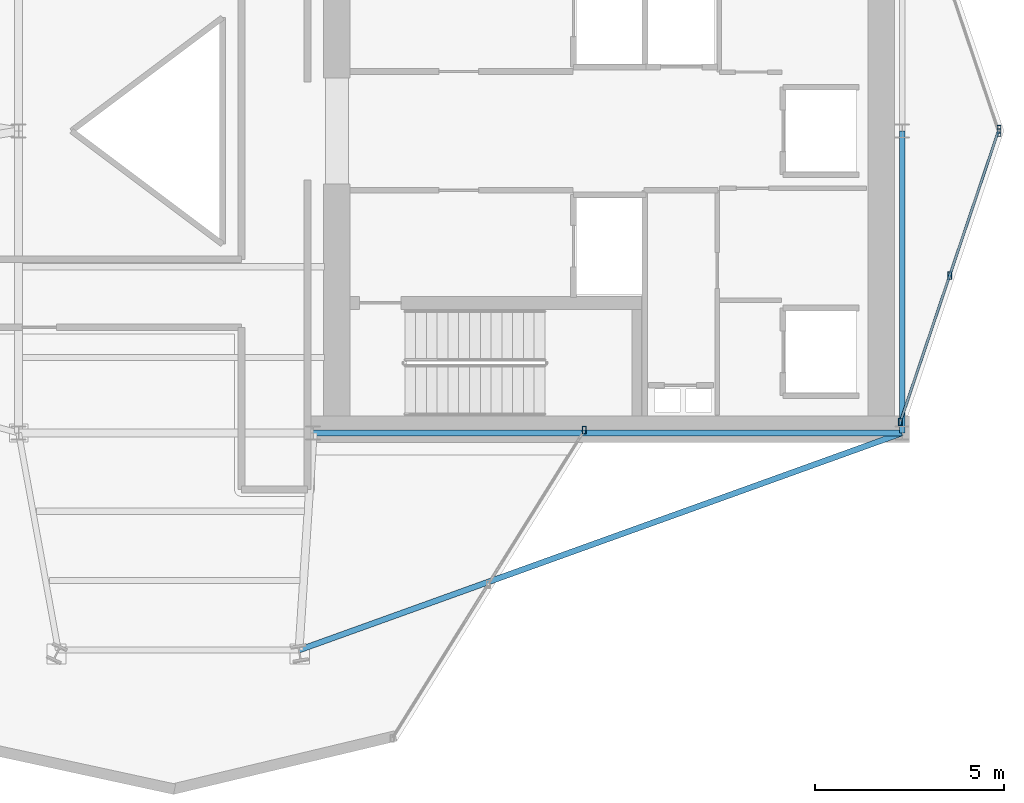
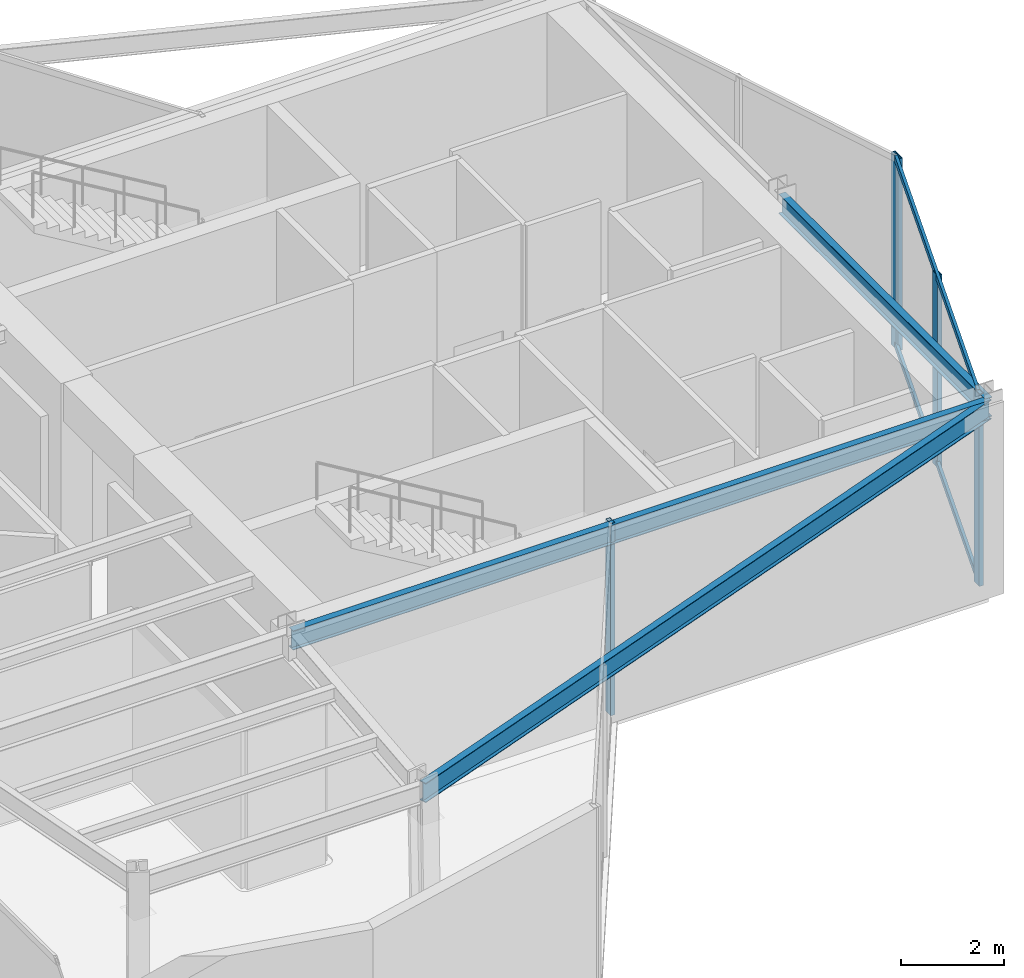
# One storey, part 6 of 14: 7 members, 3 beams, 3 elements without a shape of their own.
"""IFC4 building model written with IfcOpenShell, lengths in metres."""

from ifc_helpers import new_model, si_unit, direction, frame, origin, origin_2d, place, context, subcontext, project, spatial, hollow_rectangle, i_section, extrude, material, layer, layer_set, material_profile, profile_set, type_object, element, aggregate, save


model = new_model("IFC4")

# Units and contexts
model_context = context("Model", 3, precision=1e-05, world=origin(), true_north=direction((0.0, 1.0)))
body_context = subcontext(model_context, "Body", "Model", "MODEL_VIEW")
ifc_project = project(units=[si_unit("LENGTHUNIT", "METRE"), si_unit("AREAUNIT", "SQUARE_METRE"), si_unit("VOLUMEUNIT", "CUBIC_METRE"), si_unit("PLANEANGLEUNIT", "RADIAN"), si_unit("MASSUNIT", "GRAM", prefix="KILO")], contexts=[model_context])

# Site, building, storey
site_placement = place(None, origin())
site = spatial("IfcSite", under=ifc_project, at=site_placement, CompositionType="ELEMENT")
building_placement = place(site_placement, origin())
building = spatial("IfcBuilding", under=site, at=building_placement, Name="Veymaron Broadcast Tower", CompositionType="ELEMENT")
storey_placement = place(building_placement, frame((0.0, 0.0, 187.050048828125)))
storey = spatial("IfcBuildingStorey", under=building, at=storey_placement, Name="L43", CompositionType="ELEMENT", Elevation=187.050048828125)

# Beams
ifc_material_1 = material(Name="Structural steel ASTM A992 Gr 50", Category="steel")
ifc_material_profile_1 = material_profile(ifc_material_1, i_section(OverallWidth=0.154052734375, OverallDepth=0.458984375, WebThickness=0.009033203125, FlangeThickness=0.015380859375, at=origin_2d()), Name="W460X68")
ifc_profile_set_1 = profile_set([ifc_material_profile_1], Name="Structural steel ASTM A992 Gr 50")
beam_type = type_object("IfcBeamType", Name="BM-SP2", PredefinedType="SPANDREL", material=ifc_profile_set_1)
beam_1_placement = place(storey_placement, frame((39.0, 16.0, 4.310546875), z_axis=(1.0, 0.0, 0.0), x_axis=(0.0, 1.0, 0.0)))
element("IfcBeam", 1, at=beam_1_placement, inside=storey, type_object=beam_type, Name="L43 primary structural floor girder", PredefinedType="SPANDREL", context=body_context, shape_type="SweptSolid", body=[
    extrude(i_section(OverallWidth=0.154052734375, OverallDepth=0.458984375, WebThickness=0.009033203125, FlangeThickness=0.015380859375, at=origin_2d()), origin(), (0.0, 0.0, 1.0), 15.60009765625),
])
beam_2_placement = place(storey_placement, frame((54.60009765625, 16.0, 4.310546875), z_axis=(0.0, 1.0, 0.0), x_axis=(-1.0, 0.0, 0.0)))
element("IfcBeam", 2, at=beam_2_placement, inside=storey, type_object=beam_type, Name="L43 primary structural floor girder", PredefinedType="SPANDREL", context=body_context, shape_type="SweptSolid", body=[
    extrude(i_section(OverallWidth=0.154052734375, OverallDepth=0.458984375, WebThickness=0.009033203125, FlangeThickness=0.015380859375, at=origin_2d()), origin(), (0.0, 0.0, 1.0), 8.0),
])
beam_3_placement = place(storey_placement, frame((54.60009765625, 16.0, 4.310546875), z_axis=(-0.940906840948, -0.33866549375, 0.0), x_axis=(0.33866549375, -0.940906840948, 0.0)))
element("IfcBeam", 3, at=beam_3_placement, inside=storey, type_object=beam_type, Name="L43 primary structural floor girder", PredefinedType="SPANDREL", context=body_context, shape_type="SweptSolid", body=[
    extrude(i_section(OverallWidth=0.154052734375, OverallDepth=0.458984375, WebThickness=0.009033203125, FlangeThickness=0.015380859375, at=origin_2d()), origin(), (0.0, 0.0, 1.0), 16.978515625),
])

# Curtain wall, members
ifc_material_2 = material(Name="Anodised aluminium AA 6063-T6 and laminated low-E dark glass", Category="aluminium")
ifc_layer = layer(ifc_material_2, 0.179931640625)
ifc_layer_set = layer_set([ifc_layer], Name="Anodised aluminium AA 6063-T6 and laminated low-E dark glass")
curtain_wall_type = type_object("IfcCurtainWallType", Name="CW-SYS-04", PredefinedType="NOTDEFINED", material=ifc_layer_set)
curtain_wall_1_placement = place(storey_placement, origin())
curtain_wall_1 = element("IfcCurtainWall", 4, at=curtain_wall_1_placement, inside=storey, type_object=curtain_wall_type, Name="L43 dark-glass curtain wall CW-L43-E2-1", PredefinedType="NOTDEFINED")
ifc_material_3 = material(Name="Anodised aluminium AA 6063-T6", Category="aluminium")
ifc_material_profile_2 = material_profile(ifc_material_3, hollow_rectangle(XDim=0.10009765625, YDim=0.199951171875, WallThickness=0.010009765625, at=origin_2d()), Name="RHS200X100X10")
ifc_profile_set_2 = profile_set([ifc_material_profile_2], Name="Anodised aluminium AA 6063-T6")
member_type_1 = type_object("IfcMemberType", Name="CW-MUL-01", PredefinedType="MULLION", material=ifc_profile_set_2)
member_1_placement = place(storey_placement, frame((54.5498046875, 16.289794921875, 0.0), z_axis=(0.0, 0.0, 1.0), x_axis=(1.0, 0.0, 0.0)))
member_1 = element("IfcMember", 5, at=member_1_placement, type_object=member_type_1, Name="CW-L43-E2-1 mullion 0", PredefinedType="MULLION", context=body_context, shape_type="SweptSolid", body=[
    extrude(hollow_rectangle(XDim=0.10009765625, YDim=0.199951171875, WallThickness=0.010009765625, at=origin_2d()), origin(), (0.0, 0.0, 1.0), 4.5400390625),
])
member_2_placement = place(storey_placement, frame((55.856689453125, 20.167236328125, 0.0), z_axis=(0.0, 0.0, 1.0), x_axis=(1.0, 0.0, 0.0)))
member_2 = element("IfcMember", 6, at=member_2_placement, type_object=member_type_1, Name="CW-L43-E2-1 mullion 1", PredefinedType="MULLION", context=body_context, shape_type="SweptSolid", body=[
    extrude(hollow_rectangle(XDim=0.10009765625, YDim=0.199951171875, WallThickness=0.010009765625, at=origin_2d()), origin(), (0.0, 0.0, 1.0), 4.5400390625),
])
member_3_placement = place(storey_placement, frame((57.163818359375, 24.044677734375, 0.0), z_axis=(0.0, 0.0, 1.0), x_axis=(1.0, 0.0, 0.0)))
member_3 = element("IfcMember", 7, at=member_3_placement, type_object=member_type_1, Name="CW-L43-E2-1 mullion 2", PredefinedType="MULLION", context=body_context, shape_type="SweptSolid", body=[
    extrude(hollow_rectangle(XDim=0.10009765625, YDim=0.199951171875, WallThickness=0.010009765625, at=origin_2d()), origin(), (0.0, 0.0, 1.0), 4.5400390625),
])

# Curtain wall, member
curtain_wall_2_placement = place(storey_placement, origin())
curtain_wall_2 = element("IfcCurtainWall", 8, at=curtain_wall_2_placement, inside=storey, type_object=curtain_wall_type, Name="L43 dark-glass curtain wall CW-L43-E3-1", PredefinedType="NOTDEFINED")
member_4_placement = place(storey_placement, frame((57.163818359375, 23.955322265625, 0.0), z_axis=(0.0, 0.0, 1.0), x_axis=(1.0, 0.0, 0.0)))
member_4 = element("IfcMember", 9, at=member_4_placement, type_object=member_type_1, Name="CW-L43-E3-1 mullion 0", PredefinedType="MULLION", context=body_context, shape_type="SweptSolid", body=[
    extrude(hollow_rectangle(XDim=0.10009765625, YDim=0.199951171875, WallThickness=0.010009765625, at=origin_2d()), origin(), (0.0, 0.0, 1.0), 4.5400390625),
])
aggregate(curtain_wall_2, [member_4])

curtain_wall_3_placement = place(storey_placement, origin())
curtain_wall_3 = element("IfcCurtainWall", 10, at=curtain_wall_3_placement, inside=storey, type_object=curtain_wall_type, Name="L43 dark-glass curtain wall CW-L43-E20-1", PredefinedType="NOTDEFINED")
member_5_placement = place(storey_placement, frame((46.1826171875, 16.073974609375, 0.0), z_axis=(0.0, 0.0, 1.0), x_axis=(1.0, 0.0, 0.0)))
member_5 = element("IfcMember", 11, at=member_5_placement, type_object=member_type_1, Name="CW-L43-E20-1 mullion 2", PredefinedType="MULLION", context=body_context, shape_type="SweptSolid", body=[
    extrude(hollow_rectangle(XDim=0.10009765625, YDim=0.199951171875, WallThickness=0.010009765625, at=origin_2d()), origin(), (0.0, 0.0, 1.0), 4.5400390625),
])
aggregate(curtain_wall_3, [member_5])

# Member
ifc_material_profile_3 = material_profile(ifc_material_3, hollow_rectangle(XDim=0.06494140625, YDim=0.14990234375, WallThickness=0.00390625, at=origin_2d()), Name="AL150X65X4")
ifc_profile_set_3 = profile_set([ifc_material_profile_3], Name="Anodised aluminium AA 6063-T6")
member_type_2 = type_object("IfcMemberType", Name="CW-TRN-01", PredefinedType="USERDEFINED", material=ifc_profile_set_3)
member_6_placement = place(storey_placement, frame((54.56591796875, 16.337158203125, 0.070068359375), z_axis=(0.319388178798, 0.947623971438, 0.0), x_axis=(-0.947623971438, 0.319388178798, 0.0)))
member_6 = element("IfcMember", 12, at=member_6_placement, type_object=member_type_2, Name="CW-L43-E2-1 transom B", ObjectType="TRANSOM", PredefinedType="USERDEFINED", context=body_context, shape_type="SweptSolid", body=[
    extrude(hollow_rectangle(XDim=0.06494140625, YDim=0.14990234375, WallThickness=0.00390625, at=origin_2d()), origin(), (0.0, 0.0, 1.0), 8.08349609375),
])

member_7_placement = place(storey_placement, frame((54.56591796875, 16.337158203125, 4.469970703125), z_axis=(0.319388178798, 0.947623971438, 0.0), x_axis=(-0.947623971438, 0.319388178798, 0.0)))
member_7 = element("IfcMember", 13, at=member_7_placement, type_object=member_type_2, Name="CW-L43-E2-1 transom T", ObjectType="TRANSOM", PredefinedType="USERDEFINED", context=body_context, shape_type="SweptSolid", body=[
    extrude(hollow_rectangle(XDim=0.06494140625, YDim=0.14990234375, WallThickness=0.00390625, at=origin_2d()), origin(), (0.0, 0.0, 1.0), 8.08349609375),
])

aggregate(curtain_wall_1, [member_1, member_2, member_3, member_6, member_7])

save(model, "model.ifc")
